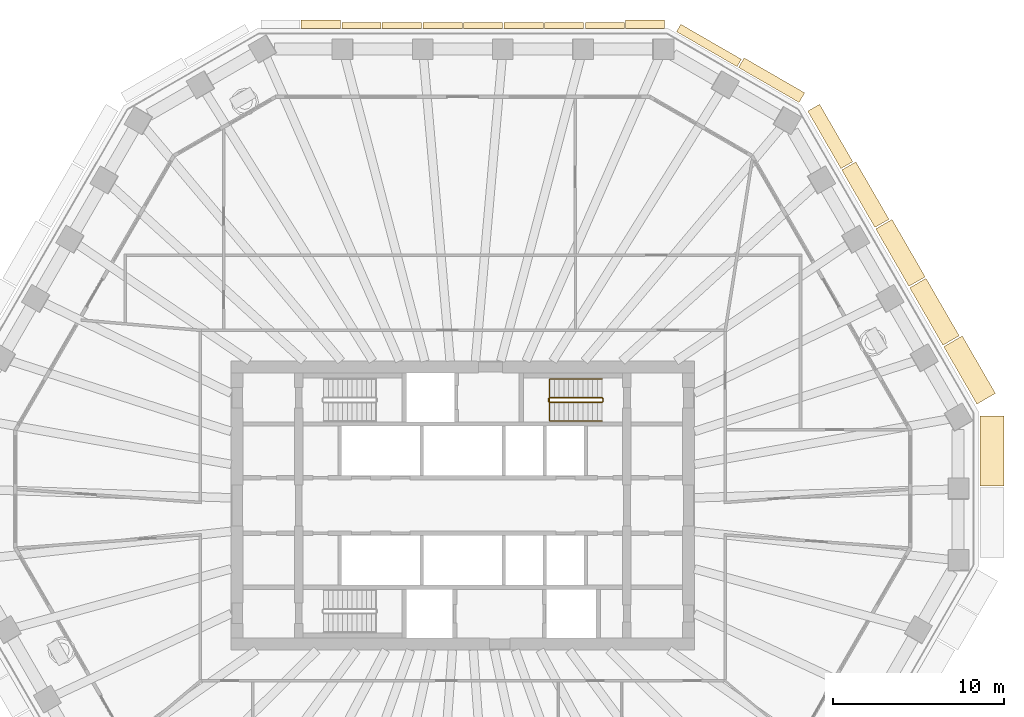
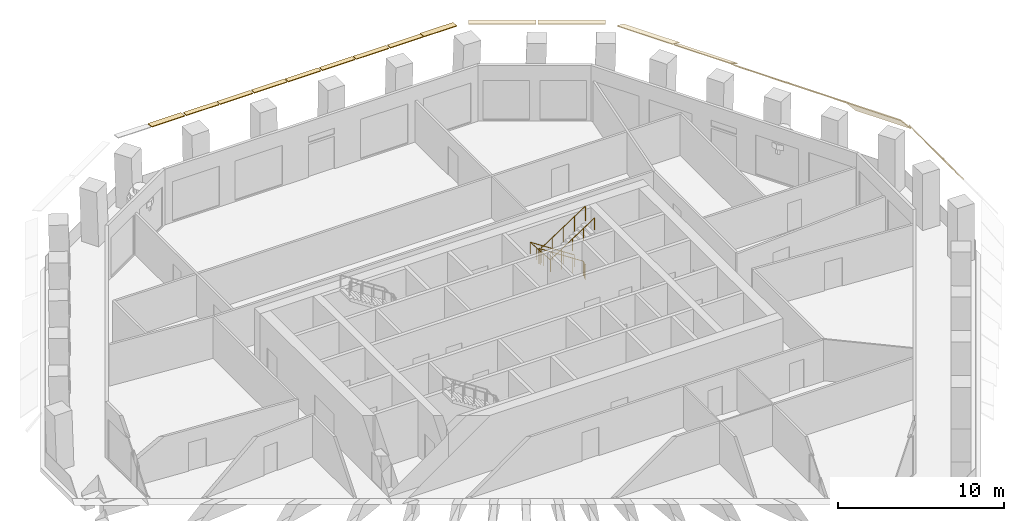
# One storey, part 10 of 12: 17 coverings, 2 railings.
"""IFC4 building model written with IfcOpenShell, lengths in metres."""

import ifcopenshell
import ifcopenshell.guid

model = None  # the IFC model being written
_history = None  # IfcOwnerHistory: only IFC2X3 demands one
_inside = {}  # id of a spatial element -> (the spatial element, [elements in it])
_under = {}  # id of a project, library or spatial element -> (it, [spatial elements below it])
_declared = {}  # id of a project -> (the project, [libraries it declares])
_typed = {}  # id of a type object -> (the type object, [elements of that type])
_made_of = {}  # id of a material, layer set ... -> (it, [elements and type objects made of it])


def new_model(schema):
    """Start an empty IFC model of exactly this schema.

    Asked for "IFC4X3", IfcOpenShell would pick the latest addendum, in which some entities
    have other attributes; the version numbers below select the first issue.
    IFC2X3 requires an IfcOwnerHistory on every rooted entity: one is made here for all.
    """
    global model, _history
    if schema == "IFC4X3":
        model = ifcopenshell.file(schema_version=(4, 3, 0, 0))
    else:
        model = ifcopenshell.file(schema=schema)
    _inside.clear()
    _under.clear()
    _declared.clear()
    _typed.clear()
    _made_of.clear()
    _history = None
    if model.schema == "IFC2X3":
        org = make("IfcOrganization", Name="unknown")
        user = make(
            "IfcPersonAndOrganization",
            ThePerson=make("IfcPerson", FamilyName="unknown"),
            TheOrganization=org,
        )
        app = make(
            "IfcApplication",
            ApplicationDeveloper=org,
            Version="unknown",
            ApplicationFullName="unknown",
            ApplicationIdentifier="unknown",
        )
        _history = make(
            "IfcOwnerHistory",
            OwningUser=user,
            OwningApplication=app,
            ChangeAction="ADDED",
            CreationDate=0,
        )
    return model


def make(cls, **values):
    """One entity of the class cls with the attributes given. An attribute that is None is left unset."""
    return model.create_entity(
        cls, **{name: value for name, value in values.items() if value is not None}
    )


def rooted(cls, **values):
    """An entity with a GlobalId (a new one), such as an element, a storey or a relation."""
    return make(cls, GlobalId=ifcopenshell.guid.new(), OwnerHistory=_history, **values)


def si_unit(unit_type, name, prefix=None):
    """IfcSIUnit, for example si_unit("LENGTHUNIT", "METRE", prefix="MILLI")."""
    return make("IfcSIUnit", UnitType=unit_type, Prefix=prefix, Name=name)


def assignment(units):
    """IfcUnitAssignment: the units of a project."""
    return None if units is None else make("IfcUnitAssignment", Units=units)


def point(xyz):
    """IfcCartesianPoint."""
    return None if xyz is None else make("IfcCartesianPoint", Coordinates=xyz)


def direction(xyz):
    """IfcDirection."""
    return None if xyz is None else make("IfcDirection", DirectionRatios=xyz)


def frame(location, z_axis=None, x_axis=None):
    """IfcAxis2Placement3D, a coordinate frame: its origin and axes. An axis left out is left unset."""
    return make(
        "IfcAxis2Placement3D",
        Location=point(location),
        Axis=direction(z_axis),
        RefDirection=direction(x_axis),
    )


def frame_2d(location, x_axis=None):
    """IfcAxis2Placement2D, a coordinate frame in the plane: its origin and x axis."""
    return make(
        "IfcAxis2Placement2D", Location=point(location), RefDirection=direction(x_axis)
    )


def origin():
    """The frame at (0, 0, 0) with its axes left unset."""
    return frame((0.0, 0.0, 0.0))


def origin_2d():
    """The frame at (0, 0) in the plane with its x axis left unset."""
    return frame_2d((0.0, 0.0))


def place(relative_to, where):
    """IfcLocalPlacement: puts the frame where relative to a parent placement (None: the world)."""
    return make(
        "IfcLocalPlacement", PlacementRelTo=relative_to, RelativePlacement=where
    )


def context(
    kind, dimensions, precision=None, world=None, true_north=None, identifier=None
):
    """IfcGeometricRepresentationContext, for example the 3D "Model" context."""
    return make(
        "IfcGeometricRepresentationContext",
        ContextIdentifier=identifier,
        ContextType=kind,
        CoordinateSpaceDimension=dimensions,
        Precision=precision,
        WorldCoordinateSystem=world,
        TrueNorth=true_north,
    )


def subcontext(parent, identifier, kind, view, scale=None):
    """IfcGeometricRepresentationSubContext, for example "Body" below "Model"."""
    return make(
        "IfcGeometricRepresentationSubContext",
        ContextIdentifier=identifier,
        ContextType=kind,
        ParentContext=parent,
        TargetScale=scale,
        TargetView=view,
    )


def project(units=None, contexts=None):
    """IfcProject with its units and contexts."""
    return rooted(
        "IfcProject",
        Name="project",
        RepresentationContexts=contexts,
        UnitsInContext=assignment(units),
    )


def spatial(cls, under=None, at=None, **own):
    """A site, building, storey or space (cls), placed at a placement, below another one or the project."""
    s = rooted(cls, ObjectPlacement=at, **own)
    if under is not None:
        _under.setdefault(under.id(), (under, []))[1].append(s)
    return s


def polyline(points):
    """IfcPolyline through the points."""
    return make("IfcPolyline", Points=[point(p) for p in points])


def profile(cls, at=None, kind="AREA", **sizes):
    """A parametric profile (cls). Its sizes go by their IFC names, for example OverallWidth=200.0."""
    return make(cls, ProfileType=kind, Position=at, **sizes)


def circle(**sizes):
    """IfcCircleProfileDef."""
    return profile("IfcCircleProfileDef", **sizes)


def outline(outer, holes=None, kind="AREA"):
    """IfcArbitraryClosedProfileDef: a profile drawn as a closed curve; with holes, ...WithVoids."""
    if holes is None:
        return make("IfcArbitraryClosedProfileDef", ProfileType=kind, OuterCurve=outer)
    return make(
        "IfcArbitraryProfileDefWithVoids",
        ProfileType=kind,
        OuterCurve=outer,
        InnerCurves=holes,
    )


def extrude(swept, where, along, depth):
    """IfcExtrudedAreaSolid: the profile swept, set in the frame where, extruded along a direction by depth."""
    return make(
        "IfcExtrudedAreaSolid",
        SweptArea=swept,
        Position=where,
        ExtrudedDirection=direction(along),
        Depth=depth,
    )


def shape(context_of_items, identifier, shape_type, items):
    """IfcShapeRepresentation: the items that make up one representation, for example the "Body"."""
    return make(
        "IfcShapeRepresentation",
        ContextOfItems=context_of_items,
        RepresentationIdentifier=identifier,
        RepresentationType=shape_type,
        Items=items,
    )


def material(Name=None, Category=None):
    """IfcMaterial."""
    return make("IfcMaterial", Name=Name, Category=Category)


def layer(
    of_material, thickness, ventilated=None, Name=None, Category=None, Priority=None
):
    """IfcMaterialLayer: one layer of a wall or slab, of a material (None: an air gap)."""
    return make(
        "IfcMaterialLayer",
        Material=of_material,
        LayerThickness=thickness,
        IsVentilated=ventilated,
        Name=Name,
        Category=Category,
        Priority=Priority,
    )


def layer_set(layers, Name=None):
    """IfcMaterialLayerSet."""
    return make("IfcMaterialLayerSet", MaterialLayers=layers, LayerSetName=Name)


def made_of(thing, what):
    """Note that an element or type object is made of a material, layer set ...; save() writes the relation."""
    if what is not None:
        _made_of.setdefault(what.id(), (what, []))[1].append(thing)
    return thing


def type_object(cls, material=None, **own):
    """A type object (cls), such as IfcWallType, which elements share."""
    return made_of(rooted(cls, **own), material)


def element(
    cls,
    number,
    at=None,
    inside=None,
    cuts=None,
    type_object=None,
    material=None,
    context=None,
    identifier="Body",
    shape_type=None,
    held_by="IfcProductDefinitionShape",
    body=None,
    shapes=None,
    **own,
):
    """One element of the class cls, such as IfcWall. Its Tag is "e" and its number.

    at: its placement. inside: the storey or other place that contains it. cuts: it is an
    opening in that element (IfcRelVoidsElement). A single representation is given by context,
    identifier, shape_type and body (its items); several are given by shapes. held_by: the class
    of the entity that holds the representations. save() writes the other relations.
    """
    e = rooted(cls, Tag="e%d" % number, ObjectPlacement=at, **own)
    if body is not None:
        shapes = [shape(context, identifier, shape_type, body)]
    if shapes is not None:
        e.Representation = make(held_by, Representations=shapes)
    if inside is not None:
        _inside.setdefault(inside.id(), (inside, []))[1].append(e)
    if cuts is not None:
        rooted(
            "IfcRelVoidsElement", RelatingBuildingElement=cuts, RelatedOpeningElement=e
        )
    if type_object is not None:
        _typed.setdefault(type_object.id(), (type_object, []))[1].append(e)
    return made_of(e, material)


def aggregate(whole, parts):
    """IfcRelAggregates: a whole, such as a stair, and the parts it consists of."""
    return rooted("IfcRelAggregates", RelatingObject=whole, RelatedObjects=parts)


def save(model, path):
    """Write the relations noted so far, then the file.

    IfcRelAggregates (storeys below a building ...), IfcRelContainedInSpatialStructure (elements
    in a storey), IfcRelDefinesByType, IfcRelAssociatesMaterial and IfcRelDeclares: one each for
    every whole, place, type object, material and project.
    """
    for whole, parts in _under.values():
        aggregate(whole, parts)
    for where, things in _inside.values():
        rooted(
            "IfcRelContainedInSpatialStructure",
            RelatedElements=things,
            RelatingStructure=where,
        )
    for kind, things in _typed.values():
        rooted("IfcRelDefinesByType", RelatedObjects=things, RelatingType=kind)
    for what, things in _made_of.values():
        rooted("IfcRelAssociatesMaterial", RelatedObjects=things, RelatingMaterial=what)
    for by, libraries in _declared.values():
        rooted("IfcRelDeclares", RelatingContext=by, RelatedDefinitions=libraries)
    model.write(path)


model = new_model("IFC4")

# Units and contexts
model_context = context("Model", 3, precision=1e-05, world=origin(), true_north=direction((0.0, 1.0)))
body_context = subcontext(model_context, "Body", "Model", "MODEL_VIEW")
ifc_project = project(units=[si_unit("LENGTHUNIT", "METRE"), si_unit("AREAUNIT", "SQUARE_METRE"), si_unit("VOLUMEUNIT", "CUBIC_METRE"), si_unit("PLANEANGLEUNIT", "RADIAN"), si_unit("MASSUNIT", "GRAM", prefix="KILO")], contexts=[model_context])

# Site, building, storey
site_placement = place(None, origin())
site = spatial("IfcSite", under=ifc_project, at=site_placement, CompositionType="ELEMENT")
building_placement = place(site_placement, origin())
building = spatial("IfcBuilding", under=site, at=building_placement, Name="Frailejon Research Tower", CompositionType="ELEMENT")
storey_placement = place(building_placement, frame((0.0, 0.0, 176.0)))
storey = spatial("IfcBuildingStorey", under=building, at=storey_placement, Name="L38", CompositionType="ELEMENT", Elevation=176.0)

# Coverings
ifc_material_1 = material(Name="Precast concrete C50/60", Category="concrete")
ifc_layer_1 = layer(ifc_material_1, 0.06005859375)
ifc_layer_set_1 = layer_set([ifc_layer_1], Name="Brim blade depth 1100")
covering_type_1 = type_object("IfcCoveringType", Name="Brim blade depth 1100", PredefinedType="CLADDING", material=ifc_layer_set_1)
for number, where, z_axis, x_axis, name in (
    (1, (26.13916015625, 12.73779296875, 4.25), (0.499996015972, -0.866027703952, 0.0), (0.866027703952, 0.499996015972, 0.0), "Brim blade L38"),
    (2, (24.15087890625, 16.181640625, 4.25), (0.499985126803, -0.866033990659, 0.0), (0.866033990659, 0.499985126803, 0.0), "Brim blade L38"),
):
    element("IfcCovering", number, at=place(storey_placement, frame(where, z_axis=z_axis, x_axis=x_axis)), inside=storey, type_object=covering_type_1, Name=name, PredefinedType="CLADDING", context=body_context, shape_type="SweptSolid", body=[
        extrude(outline(polyline([(0.0, -0.078369140625), (1.10009765625, -1.001220703125), (1.10009765625, -0.923095703125), (0.0, 0.0), (0.0, -0.078369140625)])), origin(), (0.0, 0.0, 1.0), 3.87646484375),
    ])
ifc_material_2 = material(Name="Precast concrete C50/60", Category="concrete")
ifc_layer_2 = layer(ifc_material_2, 0.06005859375)
ifc_layer_set_2 = layer_set([ifc_layer_2], Name="Brim blade depth 1250")
covering_type_2 = type_object("IfcCoveringType", Name="Brim blade depth 1250", PredefinedType="CLADDING", material=ifc_layer_set_2)
covering_1_placement = place(storey_placement, frame((28.12744140625, 9.294189453125, 4.25), z_axis=(0.500014877162, -0.866016814281, 0.0), x_axis=(0.866016814281, 0.500014877162, 0.0)))
element("IfcCovering", 3, at=covering_1_placement, inside=storey, type_object=covering_type_2, Name="Brim blade L38", PredefinedType="CLADDING", context=body_context, shape_type="SweptSolid", body=[
    extrude(outline(polyline([(0.0, -0.0888671875), (1.25, -1.452880859375), (1.25, -1.364013671875), (0.0, 0.0), (0.0, -0.0888671875)])), origin(), (0.0, 0.0, 1.0), 3.87646484375),
])
ifc_material_3 = material(Name="Precast concrete C50/60", Category="concrete")
ifc_layer_3 = layer(ifc_material_3, 0.06005859375)
ifc_layer_set_3 = layer_set([ifc_layer_3], Name="Brim blade depth 1400")
covering_type_3 = type_object("IfcCoveringType", Name="Brim blade depth 1400", PredefinedType="CLADDING", material=ifc_layer_set_3)
covering_2_placement = place(storey_placement, frame((30.25146484375, 5.243896484375, 4.25), z_axis=(0.0, -1.0, 0.0), x_axis=(1.0, 0.0, 0.0)))
element("IfcCovering", 4, at=covering_2_placement, inside=storey, type_object=covering_type_3, Name="Brim blade L38", PredefinedType="CLADDING", context=body_context, shape_type="SweptSolid", body=[
    extrude(outline(polyline([(0.0, -0.1044921875), (1.39990234375, -2.10400390625), (1.39990234375, -1.99951171875), (0.0, 0.0), (0.0, -0.1044921875)])), origin(), (0.0, 0.0, 1.0), 4.087646484375),
])
ifc_material_4 = material(Name="Precast concrete C50/60", Category="concrete")
ifc_layer_4 = layer(ifc_material_4, 0.06005859375)
ifc_layer_set_4 = layer_set([ifc_layer_4], Name="Brim blade depth 350")
covering_type_4 = type_object("IfcCoveringType", Name="Brim blade depth 350", PredefinedType="CLADDING", material=ifc_layer_set_4)
for number, where, z_axis, x_axis, name in (
    (5, (7.164306640625, 27.89990234375, 4.25), (1.0, 0.0, 0.0), (0.0, 1.0, 0.0), "Brim blade L38"),
    (6, (4.77294921875, 27.89990234375, 4.25), (1.0, 0.0, 0.0), (0.0, 1.0, 0.0), "Brim blade L38"),
    (7, (2.42138671875, 27.89990234375, 4.25), (1.0, 0.0, 0.0), (0.0, 1.0, 0.0), "Brim blade L38"),
    (8, (0.030029296875, 27.89990234375, 4.25), (1.0, 0.0, 0.0), (0.0, 1.0, 0.0), "Brim blade L38"),
    (9, (-2.3212890625, 27.89990234375, 4.25), (1.0, 0.0, 0.0), (0.0, 1.0, 0.0), "Brim blade L38"),
    (10, (-4.712890625, 27.89990234375, 4.25), (1.0, 0.0, 0.0), (0.0, 1.0, 0.0), "Brim blade L38"),
    (11, (-7.064208984375, 27.89990234375, 4.25), (1.0, 0.0, 0.0), (0.0, 1.0, 0.0), "Brim blade L38"),
):
    element("IfcCovering", number, at=place(storey_placement, frame(where, z_axis=z_axis, x_axis=x_axis)), inside=storey, type_object=covering_type_4, Name=name, PredefinedType="CLADDING", context=body_context, shape_type="SweptSolid", body=[
        extrude(outline(polyline([(0.0, -0.06005859375), (0.35009765625, -0.06005859375), (0.35009765625, 0.0), (0.0, 0.0), (0.0, -0.06005859375)])), origin(), (0.0, 0.0, 1.0), 2.29150390625),
    ])
ifc_material_5 = material(Name="Precast concrete C50/60", Category="concrete")
ifc_layer_5 = layer(ifc_material_5, 0.06005859375)
ifc_layer_set_5 = layer_set([ifc_layer_5], Name="Brim blade depth 500")
covering_type_5 = type_object("IfcCoveringType", Name="Brim blade depth 500", PredefinedType="CLADDING", material=ifc_layer_set_5)
covering_3_placement = place(storey_placement, frame((12.50048828125, 27.714111328125, 4.25), z_axis=(0.866021344981, -0.500007029989, 0.0), x_axis=(0.500007029989, 0.866021344981, 0.0)))
element("IfcCovering", 12, at=covering_3_placement, inside=storey, type_object=covering_type_5, Name="Brim blade L38", PredefinedType="CLADDING", context=body_context, shape_type="SweptSolid", body=[
    extrude(outline(polyline([(0.0, -0.060546875), (0.5, -0.130859375), (0.5, -0.0703125), (0.0, 0.0), (0.0, -0.060546875)])), origin(), (0.0, 0.0, 1.0), 4.08740234375),
])
for number, where, z_axis, x_axis, name in (
    (13, (9.515869140625, 27.89990234375, 4.25), (1.0, 0.0, 0.0), (0.0, 1.0, 0.0), "Brim blade L38"),
    (14, (-9.455810546875, 27.89990234375, 4.25), (1.0, 0.0, 0.0), (0.0, 1.0, 0.0), "Brim blade L38"),
):
    element("IfcCovering", number, at=place(storey_placement, frame(where, z_axis=z_axis, x_axis=x_axis)), inside=storey, type_object=covering_type_5, Name=name, PredefinedType="CLADDING", context=body_context, shape_type="SweptSolid", body=[
        extrude(outline(polyline([(0.0, -0.060546875), (0.5, -0.130859375), (0.5, -0.0703125), (0.0, 0.0), (0.0, -0.060546875)])), origin(), (0.0, 0.0, 1.0), 2.29150390625),
    ])
ifc_material_6 = material(Name="Precast concrete C50/60", Category="concrete")
ifc_layer_6 = layer(ifc_material_6, 0.06005859375)
ifc_layer_set_6 = layer_set([ifc_layer_6], Name="Brim blade depth 650")
covering_type_6 = type_object("IfcCoveringType", Name="Brim blade depth 650", PredefinedType="CLADDING", material=ifc_layer_set_6)
covering_4_placement = place(storey_placement, frame((16.126953125, 25.620361328125, 4.25), z_axis=(0.866027315287, -0.499996689166, 0.0), x_axis=(0.499996689166, 0.866027315287, 0.0)))
element("IfcCovering", 15, at=covering_4_placement, inside=storey, type_object=covering_type_6, Name="Brim blade L38", PredefinedType="CLADDING", context=body_context, shape_type="SweptSolid", body=[
    extrude(outline(polyline([(0.0, -0.0625), (0.64990234375, -0.248779296875), (0.64990234375, -0.186279296875), (0.0, 0.0), (0.0, -0.0625)])), origin(), (0.0, 0.0, 1.0), 4.087646484375),
])
ifc_material_7 = material(Name="Precast concrete C50/60", Category="concrete")
ifc_layer_7 = layer(ifc_material_7, 0.06005859375)
ifc_layer_set_7 = layer_set([ifc_layer_7], Name="Brim blade depth 800")
covering_type_7 = type_object("IfcCoveringType", Name="Brim blade depth 800", PredefinedType="CLADDING", material=ifc_layer_set_7)
covering_5_placement = place(storey_placement, frame((20.174560546875, 23.069091796875, 4.25), z_axis=(0.499996015972, -0.866027703952, 0.0), x_axis=(0.866027703952, 0.499996015972, 0.0)))
element("IfcCovering", 16, at=covering_5_placement, inside=storey, type_object=covering_type_7, Name="Brim blade L38", PredefinedType="CLADDING", context=body_context, shape_type="SweptSolid", body=[
    extrude(outline(polyline([(0.0, -0.065673828125), (0.800048828125, -0.421875), (0.800048828125, -0.356201171875), (0.0, 0.0), (0.0, -0.065673828125)])), origin(), (0.0, 0.0, 1.0), 3.87646484375),
])
ifc_material_8 = material(Name="Precast concrete C50/60", Category="concrete")
ifc_layer_8 = layer(ifc_material_8, 0.06005859375)
ifc_layer_set_8 = layer_set([ifc_layer_8], Name="Brim blade depth 950")
covering_type_8 = type_object("IfcCoveringType", Name="Brim blade depth 950", PredefinedType="CLADDING", material=ifc_layer_set_8)
covering_6_placement = place(storey_placement, frame((22.16259765625, 19.62548828125, 4.25), z_axis=(0.500014877162, -0.866016814281, 0.0), x_axis=(0.866016814281, 0.500014877162, 0.0)))
element("IfcCovering", 17, at=covering_6_placement, inside=storey, type_object=covering_type_8, Name="Brim blade L38", PredefinedType="CLADDING", context=body_context, shape_type="SweptSolid", body=[
    extrude(outline(polyline([(0.0, -0.07080078125), (0.949951171875, -0.664306640625), (0.949951171875, -0.593505859375), (0.0, 0.0), (0.0, -0.07080078125)])), origin(), (0.0, 0.0, 1.0), 3.87646484375),
])

# Railings
ifc_material_9 = material(Name="Stainless steel", Category="steel")
railing_type_1 = type_object("IfcRailingType", Name="Stair guard 1100", PredefinedType="GUARDRAIL", material=ifc_material_9)
railing_1_placement = place(storey_placement, frame((8.199951171875, 6.10009765625, 0.0)))
element("IfcRailing", 18, at=railing_1_placement, inside=storey, type_object=railing_type_1, Name="L38 ST3 stair guard 1", PredefinedType="GUARDRAIL", context=body_context, shape_type="SweptSolid", body=[
    extrude(circle(Radius=0.02392578125, at=origin_2d()), frame((0.0, 0.0, 1.076171875), z_axis=(0.0, 1.0, 0.0), x_axis=(-1.0, 0.0, 0.0)), (0.0, 0.0, 1.0), 0.14990234375),
    extrude(circle(Radius=0.02392578125, at=origin_2d()), frame((0.0, 0.14990234375, 1.076171875), z_axis=(-0.254653276557, 0.254653276557, 0.932900539971), x_axis=(-0.707106781187, -0.707106781187, 0.0)), (0.0, 0.0, 1.0), 0.196533203125),
    extrude(circle(Radius=0.02392578125, at=origin_2d()), frame((-0.050048828125, 0.199951171875, 1.25927734375), z_axis=(-0.836613101238, 0.0, 0.547794230379), x_axis=(0.0, -1.0, 0.0)), (0.0, 0.0, 1.0), 3.681396484375),
    extrude(circle(Radius=0.02392578125, at=origin_2d()), frame((-3.1298828125, 0.199951171875, 3.27587890625), z_axis=(-0.707106781187, -0.707106781187, 0.0), x_axis=(0.707106781187, -0.707106781187, 0.0)), (0.0, 0.0, 1.0), 0.07080078125),
    extrude(circle(Radius=0.02392578125, at=origin_2d()), frame((-3.179931640625, 0.14990234375, 3.27587890625), z_axis=(0.0, -1.0, 0.0), x_axis=(1.0, 0.0, 0.0)), (0.0, 0.0, 1.0), 0.14990234375),
    extrude(circle(Radius=0.02392578125, at=origin_2d()), frame((-3.179931640625, 0.0, 3.27587890625), z_axis=(0.254653276557, -0.254653276557, 0.932900539971), x_axis=(0.707106781187, 0.707106781187, 0.0)), (0.0, 0.0, 1.0), 0.196533203125),
    extrude(circle(Radius=0.02392578125, at=origin_2d()), frame((-3.1298828125, -0.050048828125, 3.45947265625), z_axis=(0.836613101238, 0.0, 0.547794230379), x_axis=(0.0, 1.0, 0.0)), (0.0, 0.0, 1.0), 3.681396484375),
    extrude(circle(Radius=0.02099609375, at=origin_2d()), origin(), (0.0, 0.0, 1.0), 1.052001953125),
    extrude(circle(Radius=0.02099609375, at=origin_2d()), frame((0.0, 0.14990234375, 0.0)), (0.0, 0.0, 1.0), 1.052001953125),
    extrude(circle(Radius=0.02099609375, at=origin_2d()), frame((-0.050048828125, 0.199951171875, 0.183349609375)), (0.0, 0.0, 1.0), 1.052001953125),
    extrude(circle(Radius=0.02099609375, at=origin_2d()), frame((-0.820068359375, 0.199951171875, 0.6875)), (0.0, 0.0, 1.0), 1.052001953125),
    extrude(circle(Radius=0.02099609375, at=origin_2d()), frame((-1.58984375, 0.199951171875, 1.191650390625)), (0.0, 0.0, 1.0), 1.052001953125),
    extrude(circle(Radius=0.02099609375, at=origin_2d()), frame((-2.35986328125, 0.199951171875, 1.69580078125)), (0.0, 0.0, 1.0), 1.052001953125),
    extrude(circle(Radius=0.02099609375, at=origin_2d()), frame((-3.1298828125, 0.199951171875, 2.199951171875)), (0.0, 0.0, 1.0), 1.052001953125),
    extrude(circle(Radius=0.02099609375, at=origin_2d()), frame((-3.179931640625, 0.14990234375, 2.199951171875)), (0.0, 0.0, 1.0), 1.052001953125),
    extrude(circle(Radius=0.02099609375, at=origin_2d()), frame((-3.179931640625, 0.0, 2.199951171875)), (0.0, 0.0, 1.0), 1.052001953125),
    extrude(circle(Radius=0.02099609375, at=origin_2d()), frame((-3.1298828125, -0.050048828125, 2.38330078125)), (0.0, 0.0, 1.0), 1.052001953125),
    extrude(circle(Radius=0.02099609375, at=origin_2d()), frame((-2.35986328125, -0.050048828125, 2.887451171875)), (0.0, 0.0, 1.0), 1.052001953125),
    extrude(circle(Radius=0.02099609375, at=origin_2d()), frame((-1.58984375, -0.050048828125, 3.3916015625)), (0.0, 0.0, 1.0), 1.052001953125),
    extrude(circle(Radius=0.02099609375, at=origin_2d()), frame((-0.820068359375, -0.050048828125, 3.895751953125)), (0.0, 0.0, 1.0), 1.052001953125),
    extrude(circle(Radius=0.02099609375, at=origin_2d()), frame((-0.050048828125, -0.050048828125, 4.39990234375)), (0.0, 0.0, 1.0), 1.052001953125),
])
ifc_material_10 = material(Name="Stainless steel", Category="steel")
railing_type_2 = type_object("IfcRailingType", Name="Stair handrail 900", PredefinedType="HANDRAIL", material=ifc_material_10)
railing_2_placement = place(storey_placement, frame((8.14990234375, 7.39990234375, 0.183349609375)))
element("IfcRailing", 19, at=railing_2_placement, inside=storey, type_object=railing_type_2, Name="L38 ST3 stair handrail 1", PredefinedType="HANDRAIL", context=body_context, shape_type="SweptSolid", body=[
    extrude(circle(Radius=0.02392578125, at=origin_2d()), frame((0.0, 0.0, 0.8759765625), z_axis=(-0.836613101238, 0.0, 0.547794230379), x_axis=(0.0, -1.0, 0.0)), (0.0, 0.0, 1.0), 3.681396484375),
    extrude(circle(Radius=0.02392578125, at=origin_2d()), frame((-3.079833984375, 0.0, 2.892578125), z_axis=(0.0, -0.99721134034, 0.074629368868), x_axis=(1.0, 0.0, 0.0)), (0.0, 0.0, 1.0), 2.456787109375),
    extrude(circle(Radius=0.02392578125, at=origin_2d()), frame((-3.079833984375, -2.449951171875, 3.07568359375), z_axis=(0.836613101238, 0.0, 0.547794230379), x_axis=(0.0, 1.0, 0.0)), (0.0, 0.0, 1.0), 3.681396484375),
    extrude(circle(Radius=0.02099609375, at=origin_2d()), origin(), (0.0, 0.0, 1.0), 0.851806640625),
    extrude(circle(Radius=0.02099609375, at=origin_2d()), frame((-0.77001953125, 0.0, 0.504150390625)), (0.0, 0.0, 1.0), 0.851806640625),
    extrude(circle(Radius=0.02099609375, at=origin_2d()), frame((-1.5400390625, 0.0, 1.00830078125)), (0.0, 0.0, 1.0), 0.851806640625),
    extrude(circle(Radius=0.02099609375, at=origin_2d()), frame((-2.309814453125, 0.0, 1.512451171875)), (0.0, 0.0, 1.0), 0.851806640625),
    extrude(circle(Radius=0.02099609375, at=origin_2d()), frame((-3.079833984375, 0.0, 2.0166015625)), (0.0, 0.0, 1.0), 0.851806640625),
    extrude(circle(Radius=0.02099609375, at=origin_2d()), frame((-3.079833984375, -0.816650390625, 2.07763671875)), (0.0, 0.0, 1.0), 0.851806640625),
    extrude(circle(Radius=0.02099609375, at=origin_2d()), frame((-3.079833984375, -1.63330078125, 2.138916015625)), (0.0, 0.0, 1.0), 0.851806640625),
    extrude(circle(Radius=0.02099609375, at=origin_2d()), frame((-3.079833984375, -2.449951171875, 2.199951171875)), (0.0, 0.0, 1.0), 0.851806640625),
    extrude(circle(Radius=0.02099609375, at=origin_2d()), frame((-2.309814453125, -2.449951171875, 2.7041015625)), (0.0, 0.0, 1.0), 0.851806640625),
    extrude(circle(Radius=0.02099609375, at=origin_2d()), frame((-1.5400390625, -2.449951171875, 3.208251953125)), (0.0, 0.0, 1.0), 0.851806640625),
    extrude(circle(Radius=0.02099609375, at=origin_2d()), frame((-0.77001953125, -2.449951171875, 3.71240234375)), (0.0, 0.0, 1.0), 0.851806640625),
    extrude(circle(Radius=0.02099609375, at=origin_2d()), frame((0.0, -2.449951171875, 4.216552734375)), (0.0, 0.0, 1.0), 0.851806640625),
])

save(model, "model.ifc")
